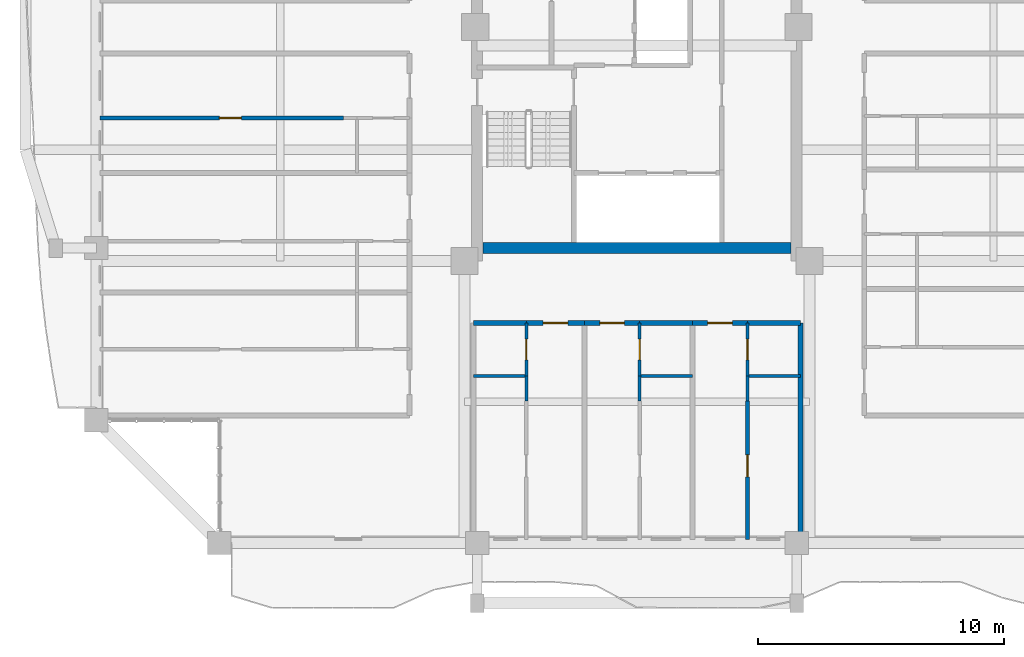
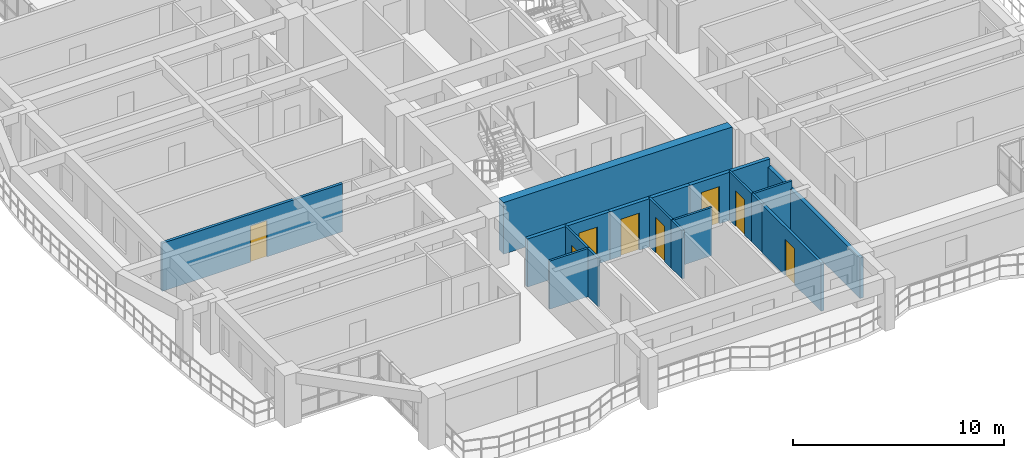
# One storey, part 12 of 24: 19 walls, 8 doors, 8 openings.
"""IFC4 building model written with IfcOpenShell, lengths in metres."""

from ifc_helpers import new_model, si_unit, direction, frame, frame_2d, origin, place, context, subcontext, project, spatial, rectangle, extrude, source, transform, mapped, material, layer, layer_set, type_object, element, fill, save


model = new_model("IFC4")

# Units and contexts
model_context = context("Model", 3, precision=1e-05, world=origin(), true_north=direction((0.0, 1.0)))
body_context = subcontext(model_context, "Body", "Model", "MODEL_VIEW")
ifc_project = project(units=[si_unit("LENGTHUNIT", "METRE"), si_unit("AREAUNIT", "SQUARE_METRE"), si_unit("VOLUMEUNIT", "CUBIC_METRE"), si_unit("PLANEANGLEUNIT", "RADIAN"), si_unit("MASSUNIT", "GRAM", prefix="KILO")], contexts=[model_context])

# Site, building, storey
site_placement = place(None, origin())
site = spatial("IfcSite", under=ifc_project, at=site_placement, CompositionType="ELEMENT")
building_placement = place(site_placement, origin())
building = spatial("IfcBuilding", under=site, at=building_placement, Name="Saelheon Loggia Tower", CompositionType="ELEMENT")
storey_placement = place(building_placement, frame((0.0, 0.0, 166.0)))
storey = spatial("IfcBuildingStorey", under=building, at=storey_placement, Name="L52", CompositionType="ELEMENT", Elevation=166.0)

# Wall
ifc_material_1 = material(Name="Concrete C45/55", Category="concrete")
ifc_layer_1 = layer(ifc_material_1, 0.449951171875)
ifc_layer_set_1 = layer_set([ifc_layer_1], Name="Concrete C45/55")
wall_type_1 = type_object("IfcWallType", Name="Wall_CoreShear_450", PredefinedType="SHEAR", material=ifc_layer_set_1)
wall_1_placement = place(storey_placement, frame((31.72509765625, 18.0, 0.0), z_axis=(0.0, 0.0, 1.0), x_axis=(1.0, 0.0, 0.0)))
element("IfcWall", 1, at=wall_1_placement, inside=storey, type_object=wall_type_1, Name="L52 Core Shear Wall South", PredefinedType="SHEAR", context=body_context, shape_type="SweptSolid", body=[
    extrude(rectangle(XDim=12.5498046875, YDim=0.449951171875, at=frame_2d((6.27490234375, 0.0))), origin(), (0.0, 0.0, 1.0), 3.0),
])

# Wall, opening, door
ifc_material_2 = material(Name="Lightweight Autoclaved Aerated Concrete Block and Acoustic Gypsum", Category="concrete")
ifc_layer_2 = layer(ifc_material_2, 0.14990234375)
ifc_layer_set_2 = layer_set([ifc_layer_2], Name="Lightweight Autoclaved Aerated Concrete Block and Acoustic Gypsum")
wall_type_2 = type_object("IfcWallType", Name="Wall_Part_150", PredefinedType="PARTITIONING", material=ifc_layer_set_2)
wall_2_placement = place(storey_placement, frame((42.5, 11.77001953125, 0.0), z_axis=(0.0, 0.0, 1.0), x_axis=(0.0, -1.0, 0.0)))
wall_2 = element("IfcWall", 2, at=wall_2_placement, inside=storey, type_object=wall_type_2, Name="L52 S Partition U22", PredefinedType="PARTITIONING", context=body_context, shape_type="SweptSolid", body=[
    extrude(rectangle(XDim=5.6201171875, YDim=0.14990234375, at=frame_2d((2.81005859375, 0.0))), origin(), (0.0, 0.0, 1.0), 2.7900390625),
])
opening_1_placement = place(wall_2_placement, frame((2.183349609375, 0.0, 0.0)))
opening_1 = element("IfcOpeningElement", 3, at=opening_1_placement, cuts=wall_2, Name="Opening D-IN2", PredefinedType="OPENING", context=body_context, shape_type="SweptSolid", body=[
    extrude(rectangle(XDim=0.89990234375, YDim=2.10009765625, at=frame_2d((0.449951171875, 1.050048828125))), frame((0.0, 0.0869140625, 0.0), z_axis=(0.0, -1.0, 0.0), x_axis=(1.0, 0.0, 0.0)), (0.0, 0.0, 1.0), 0.173828125),
])
ifc_material_3 = material(Name="Engineered Oak Flush Door", Category="timber")
door_type_1 = type_object("IfcDoorType", Name="Door_Int_900", OperationType="NOTDEFINED", PredefinedType="DOOR", material=ifc_material_3)
shared_shape_1 = source(origin(), body_context, "Body", "SweptSolid", [
    extrude(rectangle(XDim=0.89990234375, YDim=2.10009765625, at=frame_2d((0.449951171875, 1.050048828125))), frame((0.0, 0.02490234375, 0.0), z_axis=(0.0, -1.0, 0.0), x_axis=(1.0, 0.0, 0.0)), (0.0, 0.0, 1.0), 0.050048828125),
])
door_1_placement = place(opening_1_placement, origin())
door_1 = element("IfcDoor", 4, at=door_1_placement, inside=storey, type_object=door_type_1, Name="Unit U03 Kitchen Door", OperationType="SINGLE_SWING_LEFT", OverallHeight=2.10009765625, OverallWidth=0.89990234375, PredefinedType="DOOR", context=body_context, shape_type="MappedRepresentation", body=[
    mapped(shared_shape_1, transform((0.0, 0.0, 0.0), scale=1.0)),
])
fill(opening_1, door_1)

wall_3_placement = place(storey_placement, frame((26.050048828125, 23.293212890625, 0.0), z_axis=(0.0, 0.0, 1.0), x_axis=(-1.0, 0.0, 0.0)))
wall_3 = element("IfcWall", 5, at=wall_3_placement, inside=storey, type_object=wall_type_2, Name="L52 WS Partition U22", PredefinedType="PARTITIONING", context=body_context, shape_type="SweptSolid", body=[
    extrude(rectangle(XDim=9.900146484375, YDim=0.14990234375, at=frame_2d((4.9501953125, 0.0))), origin(), (0.0, 0.0, 1.0), 2.7900390625),
])
opening_2_placement = place(wall_3_placement, frame((4.14501953125, 0.0, 0.0)))
opening_2 = element("IfcOpeningElement", 6, at=opening_2_placement, cuts=wall_3, Name="Opening D-IN2", PredefinedType="OPENING", context=body_context, shape_type="SweptSolid", body=[
    extrude(rectangle(XDim=0.89990234375, YDim=2.10009765625, at=frame_2d((0.449951171875, 1.050048828125))), frame((0.0, 0.0869140625, 0.0), z_axis=(0.0, -1.0, 0.0), x_axis=(1.0, 0.0, 0.0)), (0.0, 0.0, 1.0), 0.173828125),
])
door_2_placement = place(opening_2_placement, origin())
door_2 = element("IfcDoor", 7, at=door_2_placement, inside=storey, type_object=door_type_1, Name="Unit U09 Kitchen Door", OperationType="SINGLE_SWING_RIGHT", OverallHeight=2.10009765625, OverallWidth=0.89990234375, PredefinedType="DOOR", context=body_context, shape_type="MappedRepresentation", body=[
    mapped(shared_shape_1, transform((0.0, 0.0, 0.0), scale=1.0)),
])
fill(opening_2, door_2)

# Walls
ifc_material_4 = material(Name="Double Acoustic Stud and Fireboard Partition", Category="gypsum")
ifc_layer_3 = layer(ifc_material_4, 0.199951171875)
ifc_layer_set_3 = layer_set([ifc_layer_3], Name="Double Acoustic Stud and Fireboard Partition")
wall_type_3 = type_object("IfcWallType", Name="Wall_Party_200", PredefinedType="PARTITIONING", material=ifc_layer_set_3)
wall_4_placement = place(storey_placement, frame((44.64990234375, 14.949951171875, 0.0), z_axis=(0.0, 0.0, 1.0), x_axis=(0.0, -1.0, 0.0)))
element("IfcWall", 8, at=wall_4_placement, inside=storey, type_object=wall_type_3, Name="L52 S Partition U02", PredefinedType="PARTITIONING", context=body_context, shape_type="SweptSolid", body=[
    extrude(rectangle(XDim=8.800048828125, YDim=0.199951171875, at=frame_2d((4.39990234375, 0.0))), origin(), (0.0, 0.0, 1.0), 2.340087890625),
])
wall_5_placement = place(storey_placement, frame((31.35009765625, 14.949951171875, 0.0), z_axis=(0.0, 0.0, 1.0), x_axis=(1.0, 0.0, 0.0)))
element("IfcWall", 9, at=wall_5_placement, inside=storey, type_object=wall_type_3, Name="L52 S Partition V03", PredefinedType="PARTITIONING", context=body_context, shape_type="SweptSolid", body=[
    extrude(rectangle(XDim=2.14990234375, YDim=0.199951171875, at=frame_2d((1.074951171875, 0.0))), origin(), (0.0, 0.0, 1.0), 2.7900390625),
])

# Wall, opening, door
wall_6_placement = place(storey_placement, frame((33.5, 14.949951171875, 0.0), z_axis=(0.0, 0.0, 1.0), x_axis=(1.0, 0.0, 0.0)))
wall_6 = element("IfcWall", 10, at=wall_6_placement, inside=storey, type_object=wall_type_3, Name="L52 S Partition V04", PredefinedType="PARTITIONING", context=body_context, shape_type="SweptSolid", body=[
    extrude(rectangle(XDim=2.3720703125, YDim=0.199951171875, at=frame_2d((1.18603515625, 0.0))), origin(), (0.0, 0.0, 1.0), 2.7900390625),
])
opening_3_placement = place(wall_6_placement, frame((0.68603515625, 0.0, 0.0)))
opening_3 = element("IfcOpeningElement", 11, at=opening_3_placement, cuts=wall_6, Name="Opening D-FD1", PredefinedType="OPENING", context=body_context, shape_type="SweptSolid", body=[
    extrude(rectangle(XDim=1.0, YDim=2.14990234375, at=frame_2d((0.5, 1.074951171875))), frame((0.0, 0.112060546875, 0.0), z_axis=(0.0, -1.0, 0.0), x_axis=(1.0, 0.0, 0.0)), (0.0, 0.0, 1.0), 0.223876953125),
])
ifc_material_5 = material(Name="Fire-Rated Engineered Timber Entrance Door", Category="wood")
door_type_2 = type_object("IfcDoorType", Name="Door_Flat_FD30S", OperationType="NOTDEFINED", PredefinedType="DOOR", material=ifc_material_5)
shared_shape_2 = source(origin(), body_context, "Body", "SweptSolid", [
    extrude(rectangle(XDim=1.0, YDim=2.14990234375, at=frame_2d((0.5, 1.074951171875))), frame((0.0, 0.02490234375, 0.0), z_axis=(0.0, -1.0, 0.0), x_axis=(1.0, 0.0, 0.0)), (0.0, 0.0, 1.0), 0.050048828125),
])
door_3_placement = place(opening_3_placement, origin())
door_3 = element("IfcDoor", 12, at=door_3_placement, inside=storey, type_object=door_type_2, Name="Unit U01 Entrance Door", OperationType="SINGLE_SWING_LEFT", OverallHeight=2.14990234375, OverallWidth=1.0, PredefinedType="DOOR", context=body_context, shape_type="MappedRepresentation", body=[
    mapped(shared_shape_2, transform((0.0, 0.0, 0.0), scale=1.0)),
])
fill(opening_3, door_3)

wall_7_placement = place(storey_placement, frame((35.8720703125, 14.949951171875, 0.0), z_axis=(0.0, 0.0, 1.0), x_axis=(1.0, 0.0, 0.0)))
wall_7 = element("IfcWall", 13, at=wall_7_placement, inside=storey, type_object=wall_type_3, Name="L52 S Partition V10", PredefinedType="PARTITIONING", context=body_context, shape_type="SweptSolid", body=[
    extrude(rectangle(XDim=2.239013671875, YDim=0.199951171875, at=frame_2d((1.11962890625, 0.0))), origin(), (0.0, 0.0, 1.0), 2.7900390625),
])
opening_4_placement = place(wall_7_placement, frame((0.619384765625, 0.0, 0.0)))
opening_4 = element("IfcOpeningElement", 14, at=opening_4_placement, cuts=wall_7, Name="Opening D-FD1", PredefinedType="OPENING", context=body_context, shape_type="SweptSolid", body=[
    extrude(rectangle(XDim=1.0, YDim=2.14990234375, at=frame_2d((0.5, 1.074951171875))), frame((0.0, 0.112060546875, 0.0), z_axis=(0.0, -1.0, 0.0), x_axis=(1.0, 0.0, 0.0)), (0.0, 0.0, 1.0), 0.223876953125),
])
door_4_placement = place(opening_4_placement, origin())
door_4 = element("IfcDoor", 15, at=door_4_placement, inside=storey, type_object=door_type_2, Name="Unit U02 Entrance Door", OperationType="SINGLE_SWING_RIGHT", OverallHeight=2.14990234375, OverallWidth=1.0, PredefinedType="DOOR", context=body_context, shape_type="MappedRepresentation", body=[
    mapped(shared_shape_2, transform((0.0, 0.0, 0.0), scale=1.0)),
])
fill(opening_4, door_4)

# Wall
wall_8_placement = place(storey_placement, frame((38.111083984375, 14.949951171875, 0.0), z_axis=(0.0, 0.0, 1.0), x_axis=(1.0, 0.0, 0.0)))
element("IfcWall", 16, at=wall_8_placement, inside=storey, type_object=wall_type_3, Name="L52 S Partition V11", PredefinedType="PARTITIONING", context=body_context, shape_type="SweptSolid", body=[
    extrude(rectangle(XDim=2.14990234375, YDim=0.199951171875, at=frame_2d((1.074951171875, 0.0))), origin(), (0.0, 0.0, 1.0), 2.7900390625),
])

# Wall, opening, door
wall_9_placement = place(storey_placement, frame((40.260986328125, 14.949951171875, 0.0), z_axis=(0.0, 0.0, 1.0), x_axis=(1.0, 0.0, 0.0)))
wall_9 = element("IfcWall", 17, at=wall_9_placement, inside=storey, type_object=wall_type_3, Name="L52 S Partition V17", PredefinedType="PARTITIONING", context=body_context, shape_type="SweptSolid", body=[
    extrude(rectangle(XDim=2.239013671875, YDim=0.199951171875, at=frame_2d((1.11962890625, 0.0))), origin(), (0.0, 0.0, 1.0), 2.7900390625),
])
opening_5_placement = place(wall_9_placement, frame((0.619384765625, 0.0, 0.0)))
opening_5 = element("IfcOpeningElement", 18, at=opening_5_placement, cuts=wall_9, Name="Opening D-FD1", PredefinedType="OPENING", context=body_context, shape_type="SweptSolid", body=[
    extrude(rectangle(XDim=1.0, YDim=2.14990234375, at=frame_2d((0.5, 1.074951171875))), frame((0.0, 0.112060546875, 0.0), z_axis=(0.0, -1.0, 0.0), x_axis=(1.0, 0.0, 0.0)), (0.0, 0.0, 1.0), 0.223876953125),
])
door_5_placement = place(opening_5_placement, origin())
door_5 = element("IfcDoor", 19, at=door_5_placement, inside=storey, type_object=door_type_2, Name="Unit U03 Entrance Door", OperationType="SINGLE_SWING_LEFT", OverallHeight=2.14990234375, OverallWidth=1.0, PredefinedType="DOOR", context=body_context, shape_type="MappedRepresentation", body=[
    mapped(shared_shape_2, transform((0.0, 0.0, 0.0), scale=1.0)),
])
fill(opening_5, door_5)

# Wall
wall_10_placement = place(storey_placement, frame((42.5, 14.949951171875, 0.0), z_axis=(0.0, 0.0, 1.0), x_axis=(1.0, 0.0, 0.0)))
element("IfcWall", 20, at=wall_10_placement, inside=storey, type_object=wall_type_3, Name="L52 S Partition V18", PredefinedType="PARTITIONING", context=body_context, shape_type="SweptSolid", body=[
    extrude(rectangle(XDim=2.14990234375, YDim=0.199951171875, at=frame_2d((1.074951171875, 0.0))), origin(), (0.0, 0.0, 1.0), 2.7900390625),
])

# Wall, opening, door
ifc_material_6 = material(Name="Moisture-Resistant Cement Board Partition", Category="gypsum")
ifc_layer_4 = layer(ifc_material_6, 0.1201171875)
ifc_layer_set_4 = layer_set([ifc_layer_4], Name="Moisture-Resistant Cement Board Partition")
wall_type_4 = type_object("IfcWallType", Name="Wall_WetPart_120", PredefinedType="PARTITIONING", material=ifc_layer_set_4)
wall_11_placement = place(storey_placement, frame((33.5, 14.949951171875, 0.0), z_axis=(0.0, 0.0, 1.0), x_axis=(0.0, -1.0, 0.0)))
wall_11 = element("IfcWall", 21, at=wall_11_placement, inside=storey, type_object=wall_type_4, Name="L52 S Partition U05", PredefinedType="PARTITIONING", context=body_context, shape_type="SweptSolid", body=[
    extrude(rectangle(XDim=2.14990234375, YDim=0.1201171875, at=frame_2d((1.074951171875, 0.0))), origin(), (0.0, 0.0, 1.0), 2.7900390625),
])
opening_6_placement = place(wall_11_placement, frame((0.64990234375, 0.0, 0.0)))
opening_6 = element("IfcOpeningElement", 22, at=opening_6_placement, cuts=wall_11, Name="Opening D-BT1", PredefinedType="OPENING", context=body_context, shape_type="SweptSolid", body=[
    extrude(rectangle(XDim=0.85009765625, YDim=2.050048828125, at=frame_2d((0.425048828125, 1.02490234375))), frame((0.0, 0.072021484375, 0.0), z_axis=(0.0, -1.0, 0.0), x_axis=(1.0, 0.0, 0.0)), (0.0, 0.0, 1.0), 0.14404296875),
])
ifc_material_7 = material(Name="Moisture-Resistant Laminate Timber Door", Category="wood")
door_type_3 = type_object("IfcDoorType", Name="Door_Bath_850", OperationType="NOTDEFINED", PredefinedType="DOOR", material=ifc_material_7)
shared_shape_3 = source(origin(), body_context, "Body", "SweptSolid", [
    extrude(rectangle(XDim=0.85009765625, YDim=2.050048828125, at=frame_2d((0.425048828125, 1.02490234375))), frame((0.0, 0.02490234375, 0.0), z_axis=(0.0, -1.0, 0.0), x_axis=(1.0, 0.0, 0.0)), (0.0, 0.0, 1.0), 0.050048828125),
])
door_6_placement = place(opening_6_placement, origin())
door_6 = element("IfcDoor", 23, at=door_6_placement, inside=storey, type_object=door_type_3, Name="Unit U01 Bathroom Door", OperationType="SINGLE_SWING_RIGHT", OverallHeight=2.050048828125, OverallWidth=0.85009765625, PredefinedType="DOOR", context=body_context, shape_type="MappedRepresentation", body=[
    mapped(shared_shape_3, transform((0.0, 0.0, 0.0), scale=1.0)),
])
fill(opening_6, door_6)

# Walls
wall_12_placement = place(storey_placement, frame((33.5, 12.800048828125, 0.0), z_axis=(0.0, 0.0, 1.0), x_axis=(0.0, -1.0, 0.0)))
element("IfcWall", 24, at=wall_12_placement, inside=storey, type_object=wall_type_4, Name="L52 S Partition U06", PredefinedType="PARTITIONING", context=body_context, shape_type="SweptSolid", body=[
    extrude(rectangle(XDim=1.030029296875, YDim=0.1201171875, at=frame_2d((0.51513671875, 0.0))), origin(), (0.0, 0.0, 1.0), 2.7900390625),
])
wall_13_placement = place(storey_placement, frame((31.35009765625, 12.800048828125, 0.0), z_axis=(0.0, 0.0, 1.0), x_axis=(1.0, 0.0, 0.0)))
element("IfcWall", 25, at=wall_13_placement, inside=storey, type_object=wall_type_4, Name="L52 S Partition V07", PredefinedType="PARTITIONING", context=body_context, shape_type="SweptSolid", body=[
    extrude(rectangle(XDim=2.14990234375, YDim=0.1201171875, at=frame_2d((1.074951171875, 0.0))), origin(), (0.0, 0.0, 1.0), 2.7900390625),
])

# Wall, opening, door
wall_14_placement = place(storey_placement, frame((38.111083984375, 14.949951171875, 0.0), z_axis=(0.0, 0.0, 1.0), x_axis=(0.0, -1.0, 0.0)))
wall_14 = element("IfcWall", 26, at=wall_14_placement, inside=storey, type_object=wall_type_4, Name="L52 S Partition U12", PredefinedType="PARTITIONING", context=body_context, shape_type="SweptSolid", body=[
    extrude(rectangle(XDim=2.14990234375, YDim=0.1201171875, at=frame_2d((1.074951171875, 0.0))), origin(), (0.0, 0.0, 1.0), 2.7900390625),
])
opening_7_placement = place(wall_14_placement, frame((0.64990234375, 0.0, 0.0)))
opening_7 = element("IfcOpeningElement", 27, at=opening_7_placement, cuts=wall_14, Name="Opening D-BT1", PredefinedType="OPENING", context=body_context, shape_type="SweptSolid", body=[
    extrude(rectangle(XDim=0.85009765625, YDim=2.050048828125, at=frame_2d((0.425048828125, 1.02490234375))), frame((0.0, 0.072021484375, 0.0), z_axis=(0.0, -1.0, 0.0), x_axis=(1.0, 0.0, 0.0)), (0.0, 0.0, 1.0), 0.14404296875),
])
door_7_placement = place(opening_7_placement, origin())
door_7 = element("IfcDoor", 28, at=door_7_placement, inside=storey, type_object=door_type_3, Name="Unit U02 Bathroom Door", OperationType="SINGLE_SWING_LEFT", OverallHeight=2.050048828125, OverallWidth=0.85009765625, PredefinedType="DOOR", context=body_context, shape_type="MappedRepresentation", body=[
    mapped(shared_shape_3, transform((0.0, 0.0, 0.0), scale=1.0)),
])
fill(opening_7, door_7)

# Walls
wall_15_placement = place(storey_placement, frame((38.111083984375, 12.800048828125, 0.0), z_axis=(0.0, 0.0, 1.0), x_axis=(0.0, -1.0, 0.0)))
element("IfcWall", 29, at=wall_15_placement, inside=storey, type_object=wall_type_4, Name="L52 S Partition U13", PredefinedType="PARTITIONING", context=body_context, shape_type="SweptSolid", body=[
    extrude(rectangle(XDim=1.030029296875, YDim=0.1201171875, at=frame_2d((0.51513671875, 0.0))), origin(), (0.0, 0.0, 1.0), 2.7900390625),
])
wall_16_placement = place(storey_placement, frame((38.111083984375, 12.800048828125, 0.0), z_axis=(0.0, 0.0, 1.0), x_axis=(1.0, 0.0, 0.0)))
element("IfcWall", 30, at=wall_16_placement, inside=storey, type_object=wall_type_4, Name="L52 S Partition V14", PredefinedType="PARTITIONING", context=body_context, shape_type="SweptSolid", body=[
    extrude(rectangle(XDim=2.14990234375, YDim=0.1201171875, at=frame_2d((1.074951171875, 0.0))), origin(), (0.0, 0.0, 1.0), 2.7900390625),
])

# Wall, opening, door
wall_17_placement = place(storey_placement, frame((42.5, 14.949951171875, 0.0), z_axis=(0.0, 0.0, 1.0), x_axis=(0.0, -1.0, 0.0)))
wall_17 = element("IfcWall", 31, at=wall_17_placement, inside=storey, type_object=wall_type_4, Name="L52 S Partition U19", PredefinedType="PARTITIONING", context=body_context, shape_type="SweptSolid", body=[
    extrude(rectangle(XDim=2.14990234375, YDim=0.1201171875, at=frame_2d((1.074951171875, 0.0))), origin(), (0.0, 0.0, 1.0), 2.7900390625),
])
opening_8_placement = place(wall_17_placement, frame((0.64990234375, 0.0, 0.0)))
opening_8 = element("IfcOpeningElement", 32, at=opening_8_placement, cuts=wall_17, Name="Opening D-BT1", PredefinedType="OPENING", context=body_context, shape_type="SweptSolid", body=[
    extrude(rectangle(XDim=0.85009765625, YDim=2.050048828125, at=frame_2d((0.425048828125, 1.02490234375))), frame((0.0, 0.072021484375, 0.0), z_axis=(0.0, -1.0, 0.0), x_axis=(1.0, 0.0, 0.0)), (0.0, 0.0, 1.0), 0.14404296875),
])
door_8_placement = place(opening_8_placement, origin())
door_8 = element("IfcDoor", 33, at=door_8_placement, inside=storey, type_object=door_type_3, Name="Unit U03 Bathroom Door", OperationType="SINGLE_SWING_RIGHT", OverallHeight=2.050048828125, OverallWidth=0.85009765625, PredefinedType="DOOR", context=body_context, shape_type="MappedRepresentation", body=[
    mapped(shared_shape_3, transform((0.0, 0.0, 0.0), scale=1.0)),
])
fill(opening_8, door_8)

# Walls
wall_18_placement = place(storey_placement, frame((42.5, 12.800048828125, 0.0), z_axis=(0.0, 0.0, 1.0), x_axis=(0.0, -1.0, 0.0)))
element("IfcWall", 34, at=wall_18_placement, inside=storey, type_object=wall_type_4, Name="L52 S Partition U20", PredefinedType="PARTITIONING", context=body_context, shape_type="SweptSolid", body=[
    extrude(rectangle(XDim=1.030029296875, YDim=0.1201171875, at=frame_2d((0.51513671875, 0.0))), origin(), (0.0, 0.0, 1.0), 2.7900390625),
])
wall_19_placement = place(storey_placement, frame((42.5, 12.800048828125, 0.0), z_axis=(0.0, 0.0, 1.0), x_axis=(1.0, 0.0, 0.0)))
element("IfcWall", 35, at=wall_19_placement, inside=storey, type_object=wall_type_4, Name="L52 S Partition V21", PredefinedType="PARTITIONING", context=body_context, shape_type="SweptSolid", body=[
    extrude(rectangle(XDim=2.14990234375, YDim=0.1201171875, at=frame_2d((1.074951171875, 0.0))), origin(), (0.0, 0.0, 1.0), 2.7900390625),
])

save(model, "model.ifc")
